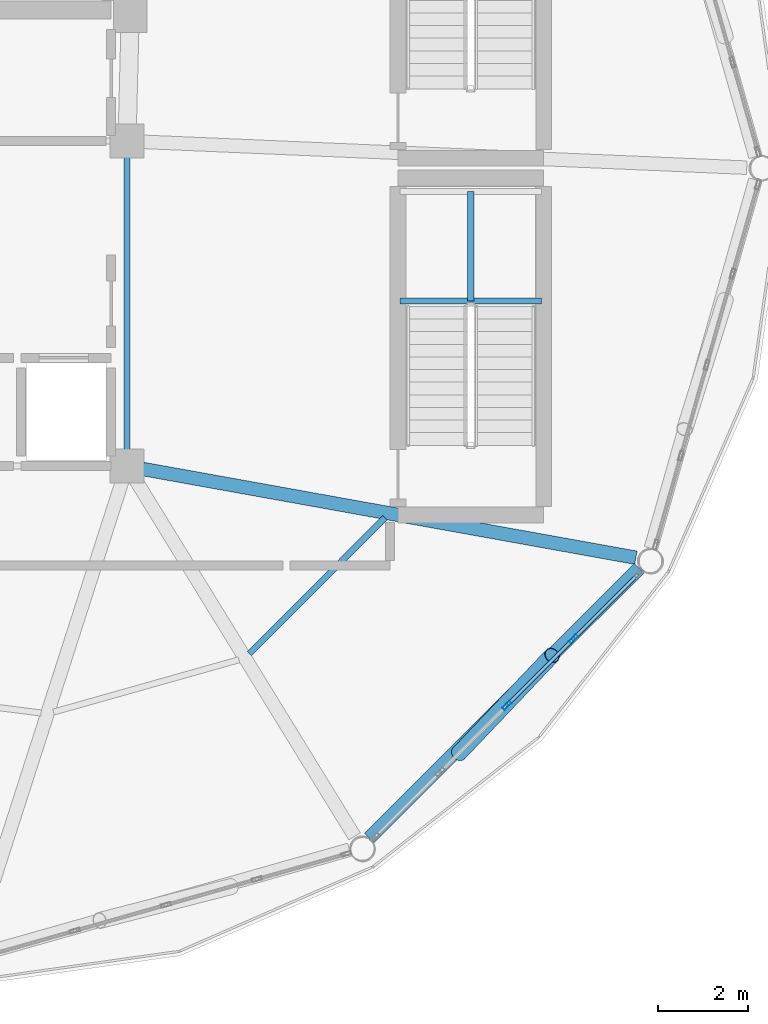
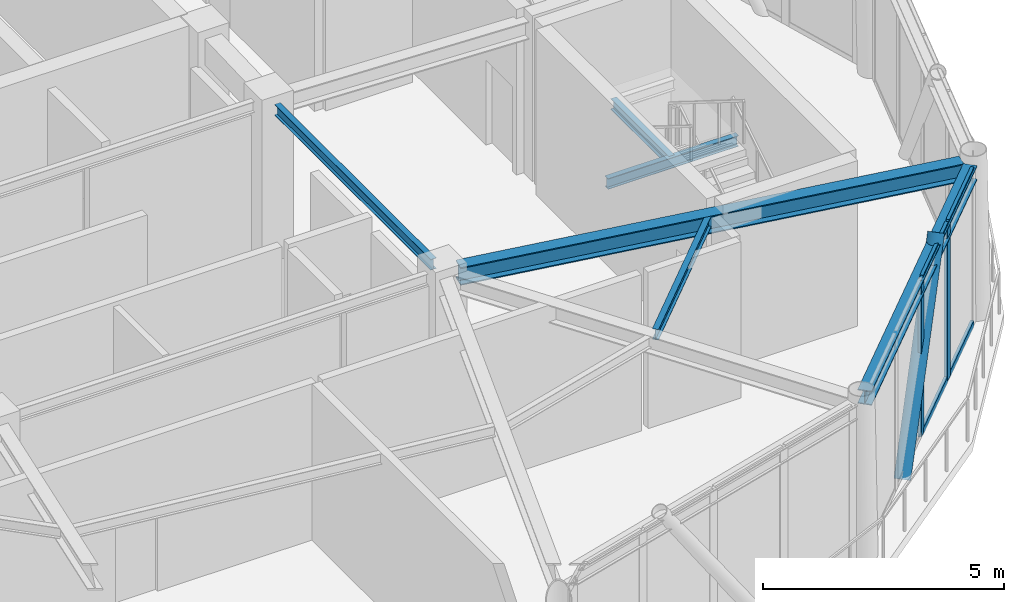
# One storey, part 7 of 21: 7 members, 6 beams, 1 element without a shape of its own.
"""IFC4 building model written with IfcOpenShell, lengths in metres."""

import ifcopenshell
import ifcopenshell.guid

model = None  # the IFC model being written
_history = None  # IfcOwnerHistory: only IFC2X3 demands one
_inside = {}  # id of a spatial element -> (the spatial element, [elements in it])
_under = {}  # id of a project, library or spatial element -> (it, [spatial elements below it])
_declared = {}  # id of a project -> (the project, [libraries it declares])
_typed = {}  # id of a type object -> (the type object, [elements of that type])
_made_of = {}  # id of a material, layer set ... -> (it, [elements and type objects made of it])


def new_model(schema):
    """Start an empty IFC model of exactly this schema.

    Asked for "IFC4X3", IfcOpenShell would pick the latest addendum, in which some entities
    have other attributes; the version numbers below select the first issue.
    IFC2X3 requires an IfcOwnerHistory on every rooted entity: one is made here for all.
    """
    global model, _history
    if schema == "IFC4X3":
        model = ifcopenshell.file(schema_version=(4, 3, 0, 0))
    else:
        model = ifcopenshell.file(schema=schema)
    _inside.clear()
    _under.clear()
    _declared.clear()
    _typed.clear()
    _made_of.clear()
    _history = None
    if model.schema == "IFC2X3":
        org = make("IfcOrganization", Name="unknown")
        user = make(
            "IfcPersonAndOrganization",
            ThePerson=make("IfcPerson", FamilyName="unknown"),
            TheOrganization=org,
        )
        app = make(
            "IfcApplication",
            ApplicationDeveloper=org,
            Version="unknown",
            ApplicationFullName="unknown",
            ApplicationIdentifier="unknown",
        )
        _history = make(
            "IfcOwnerHistory",
            OwningUser=user,
            OwningApplication=app,
            ChangeAction="ADDED",
            CreationDate=0,
        )
    return model


def make(cls, **values):
    """One entity of the class cls with the attributes given. An attribute that is None is left unset."""
    return model.create_entity(
        cls, **{name: value for name, value in values.items() if value is not None}
    )


def rooted(cls, **values):
    """An entity with a GlobalId (a new one), such as an element, a storey or a relation."""
    return make(cls, GlobalId=ifcopenshell.guid.new(), OwnerHistory=_history, **values)


def si_unit(unit_type, name, prefix=None):
    """IfcSIUnit, for example si_unit("LENGTHUNIT", "METRE", prefix="MILLI")."""
    return make("IfcSIUnit", UnitType=unit_type, Prefix=prefix, Name=name)


def assignment(units):
    """IfcUnitAssignment: the units of a project."""
    return None if units is None else make("IfcUnitAssignment", Units=units)


def point(xyz):
    """IfcCartesianPoint."""
    return None if xyz is None else make("IfcCartesianPoint", Coordinates=xyz)


def direction(xyz):
    """IfcDirection."""
    return None if xyz is None else make("IfcDirection", DirectionRatios=xyz)


def frame(location, z_axis=None, x_axis=None):
    """IfcAxis2Placement3D, a coordinate frame: its origin and axes. An axis left out is left unset."""
    return make(
        "IfcAxis2Placement3D",
        Location=point(location),
        Axis=direction(z_axis),
        RefDirection=direction(x_axis),
    )


def frame_2d(location, x_axis=None):
    """IfcAxis2Placement2D, a coordinate frame in the plane: its origin and x axis."""
    return make(
        "IfcAxis2Placement2D", Location=point(location), RefDirection=direction(x_axis)
    )


def origin():
    """The frame at (0, 0, 0) with its axes left unset."""
    return frame((0.0, 0.0, 0.0))


def origin_2d():
    """The frame at (0, 0) in the plane with its x axis left unset."""
    return frame_2d((0.0, 0.0))


def place(relative_to, where):
    """IfcLocalPlacement: puts the frame where relative to a parent placement (None: the world)."""
    return make(
        "IfcLocalPlacement", PlacementRelTo=relative_to, RelativePlacement=where
    )


def context(
    kind, dimensions, precision=None, world=None, true_north=None, identifier=None
):
    """IfcGeometricRepresentationContext, for example the 3D "Model" context."""
    return make(
        "IfcGeometricRepresentationContext",
        ContextIdentifier=identifier,
        ContextType=kind,
        CoordinateSpaceDimension=dimensions,
        Precision=precision,
        WorldCoordinateSystem=world,
        TrueNorth=true_north,
    )


def subcontext(parent, identifier, kind, view, scale=None):
    """IfcGeometricRepresentationSubContext, for example "Body" below "Model"."""
    return make(
        "IfcGeometricRepresentationSubContext",
        ContextIdentifier=identifier,
        ContextType=kind,
        ParentContext=parent,
        TargetScale=scale,
        TargetView=view,
    )


def project(units=None, contexts=None):
    """IfcProject with its units and contexts."""
    return rooted(
        "IfcProject",
        Name="project",
        RepresentationContexts=contexts,
        UnitsInContext=assignment(units),
    )


def spatial(cls, under=None, at=None, **own):
    """A site, building, storey or space (cls), placed at a placement, below another one or the project."""
    s = rooted(cls, ObjectPlacement=at, **own)
    if under is not None:
        _under.setdefault(under.id(), (under, []))[1].append(s)
    return s


def profile(cls, at=None, kind="AREA", **sizes):
    """A parametric profile (cls). Its sizes go by their IFC names, for example OverallWidth=200.0."""
    return make(cls, ProfileType=kind, Position=at, **sizes)


def hollow_rectangle(**sizes):
    """IfcRectangleHollowProfileDef."""
    return profile("IfcRectangleHollowProfileDef", **sizes)


def hollow_circle(**sizes):
    """IfcCircleHollowProfileDef."""
    return profile("IfcCircleHollowProfileDef", **sizes)


def i_section(**sizes):
    """IfcIShapeProfileDef."""
    return profile("IfcIShapeProfileDef", **sizes)


def extrude(swept, where, along, depth):
    """IfcExtrudedAreaSolid: the profile swept, set in the frame where, extruded along a direction by depth."""
    return make(
        "IfcExtrudedAreaSolid",
        SweptArea=swept,
        Position=where,
        ExtrudedDirection=direction(along),
        Depth=depth,
    )


def shape(context_of_items, identifier, shape_type, items):
    """IfcShapeRepresentation: the items that make up one representation, for example the "Body"."""
    return make(
        "IfcShapeRepresentation",
        ContextOfItems=context_of_items,
        RepresentationIdentifier=identifier,
        RepresentationType=shape_type,
        Items=items,
    )


def material(Name=None, Category=None):
    """IfcMaterial."""
    return make("IfcMaterial", Name=Name, Category=Category)


def layer(
    of_material, thickness, ventilated=None, Name=None, Category=None, Priority=None
):
    """IfcMaterialLayer: one layer of a wall or slab, of a material (None: an air gap)."""
    return make(
        "IfcMaterialLayer",
        Material=of_material,
        LayerThickness=thickness,
        IsVentilated=ventilated,
        Name=Name,
        Category=Category,
        Priority=Priority,
    )


def layer_set(layers, Name=None):
    """IfcMaterialLayerSet."""
    return make("IfcMaterialLayerSet", MaterialLayers=layers, LayerSetName=Name)


def material_profile(
    of_material, cross_section, Name=None, Category=None, Priority=None
):
    """IfcMaterialProfile: a cross section and its material."""
    return make(
        "IfcMaterialProfile",
        Name=Name,
        Material=of_material,
        Profile=cross_section,
        Priority=Priority,
        Category=Category,
    )


def profile_set(profiles, Name=None, composite=None):
    """IfcMaterialProfileSet."""
    return make(
        "IfcMaterialProfileSet",
        Name=Name,
        MaterialProfiles=profiles,
        CompositeProfile=composite,
    )


def made_of(thing, what):
    """Note that an element or type object is made of a material, layer set ...; save() writes the relation."""
    if what is not None:
        _made_of.setdefault(what.id(), (what, []))[1].append(thing)
    return thing


def type_object(cls, material=None, **own):
    """A type object (cls), such as IfcWallType, which elements share."""
    return made_of(rooted(cls, **own), material)


def element(
    cls,
    number,
    at=None,
    inside=None,
    cuts=None,
    type_object=None,
    material=None,
    context=None,
    identifier="Body",
    shape_type=None,
    held_by="IfcProductDefinitionShape",
    body=None,
    shapes=None,
    **own,
):
    """One element of the class cls, such as IfcWall. Its Tag is "e" and its number.

    at: its placement. inside: the storey or other place that contains it. cuts: it is an
    opening in that element (IfcRelVoidsElement). A single representation is given by context,
    identifier, shape_type and body (its items); several are given by shapes. held_by: the class
    of the entity that holds the representations. save() writes the other relations.
    """
    e = rooted(cls, Tag="e%d" % number, ObjectPlacement=at, **own)
    if body is not None:
        shapes = [shape(context, identifier, shape_type, body)]
    if shapes is not None:
        e.Representation = make(held_by, Representations=shapes)
    if inside is not None:
        _inside.setdefault(inside.id(), (inside, []))[1].append(e)
    if cuts is not None:
        rooted(
            "IfcRelVoidsElement", RelatingBuildingElement=cuts, RelatedOpeningElement=e
        )
    if type_object is not None:
        _typed.setdefault(type_object.id(), (type_object, []))[1].append(e)
    return made_of(e, material)


def aggregate(whole, parts):
    """IfcRelAggregates: a whole, such as a stair, and the parts it consists of."""
    return rooted("IfcRelAggregates", RelatingObject=whole, RelatedObjects=parts)


def save(model, path):
    """Write the relations noted so far, then the file.

    IfcRelAggregates (storeys below a building ...), IfcRelContainedInSpatialStructure (elements
    in a storey), IfcRelDefinesByType, IfcRelAssociatesMaterial and IfcRelDeclares: one each for
    every whole, place, type object, material and project.
    """
    for whole, parts in _under.values():
        aggregate(whole, parts)
    for where, things in _inside.values():
        rooted(
            "IfcRelContainedInSpatialStructure",
            RelatedElements=things,
            RelatingStructure=where,
        )
    for kind, things in _typed.values():
        rooted("IfcRelDefinesByType", RelatedObjects=things, RelatingType=kind)
    for what, things in _made_of.values():
        rooted("IfcRelAssociatesMaterial", RelatedObjects=things, RelatingMaterial=what)
    for by, libraries in _declared.values():
        rooted("IfcRelDeclares", RelatingContext=by, RelatedDefinitions=libraries)
    model.write(path)


model = new_model("IFC4")

# Units and contexts
model_context = context("Model", 3, precision=1e-05, world=origin(), true_north=direction((0.0, 1.0)))
body_context = subcontext(model_context, "Body", "Model", "MODEL_VIEW")
ifc_project = project(units=[si_unit("LENGTHUNIT", "METRE"), si_unit("AREAUNIT", "SQUARE_METRE"), si_unit("VOLUMEUNIT", "CUBIC_METRE"), si_unit("PLANEANGLEUNIT", "RADIAN"), si_unit("MASSUNIT", "GRAM", prefix="KILO")], contexts=[model_context])

# Site, building, storey
site_placement = place(None, origin())
site = spatial("IfcSite", under=ifc_project, at=site_placement, CompositionType="ELEMENT")
building_placement = place(site_placement, origin())
building = spatial("IfcBuilding", under=site, at=building_placement, Name="Varnakorn Sky Granary", CompositionType="ELEMENT")
storey_placement = place(building_placement, frame((0.0, 0.0, 298.199951171875)))
storey = spatial("IfcBuildingStorey", under=building, at=storey_placement, Name="L76", CompositionType="ELEMENT", Elevation=298.199951171875)

# Beams
ifc_material_1 = material(Name="Steel S355JR", Category="steel")
ifc_material_profile_1 = material_profile(ifc_material_1, i_section(OverallWidth=0.135009765625, OverallDepth=0.27001953125, WebThickness=0.006591796875, FlangeThickness=0.01025390625, at=origin_2d()), Name="IPE 270")
ifc_profile_set_1 = profile_set([ifc_material_profile_1], Name="Steel S355JR")
beam_type_1 = type_object("IfcBeamType", Name="BM-LND-270", PredefinedType="BEAM", material=ifc_profile_set_1)
beam_1_placement = place(storey_placement, frame((14.39990234375, -2.93994140625, 1.76513671875), z_axis=(1.0, 0.0, 0.0), x_axis=(0.0, 1.0, 0.0)))
element("IfcBeam", 1, at=beam_1_placement, inside=storey, type_object=beam_type_1, Name="Stair ST-C2 Landing Trimmer Beam A L76-1", PredefinedType="BEAM", context=body_context, shape_type="SweptSolid", body=[
    extrude(i_section(OverallWidth=0.135009765625, OverallDepth=0.27001953125, WebThickness=0.006591796875, FlangeThickness=0.01025390625, at=origin_2d()), origin(), (0.0, 0.0, 1.0), 3.130126953125),
])
beam_2_placement = place(storey_placement, frame((15.965087890625, -2.93994140625, 1.76513671875), z_axis=(0.0, 1.0, 0.0), x_axis=(-1.0, 0.0, 0.0)))
element("IfcBeam", 2, at=beam_2_placement, inside=storey, type_object=beam_type_1, Name="Stair ST-C2 Landing Cross Beam C L76-1", PredefinedType="BEAM", context=body_context, shape_type="SweptSolid", body=[
    extrude(i_section(OverallWidth=0.135009765625, OverallDepth=0.27001953125, WebThickness=0.006591796875, FlangeThickness=0.01025390625, at=origin_2d()), origin(), (0.0, 0.0, 1.0), 2.419921875),
])
ifc_material_profile_2 = material_profile(ifc_material_1, i_section(OverallWidth=0.300048828125, OverallDepth=0.449951171875, WebThickness=0.013916015625, FlangeThickness=0.02587890625, at=origin_2d()), Name="HE 450 B")
ifc_profile_set_2 = profile_set([ifc_material_profile_2], Name="Steel S355JR")
beam_type_2 = type_object("IfcBeamType", Name="BM-RAD-Z5", PredefinedType="BEAM", material=ifc_profile_set_2)
beam_3_placement = place(storey_placement, frame((8.699462890625, -6.662841796875, 3.735107421875), z_axis=(0.984187926078, -0.177127429164, 0.0), x_axis=(0.177127429164, 0.984187926078, 0.0)))
element("IfcBeam", 3, at=beam_3_placement, inside=storey, type_object=beam_type_2, Name="Radial Floor Girder RG12 L76", PredefinedType="BEAM", context=body_context, shape_type="SweptSolid", body=[
    extrude(i_section(OverallWidth=0.300048828125, OverallDepth=0.449951171875, WebThickness=0.013916015625, FlangeThickness=0.02587890625, at=origin_2d()), origin(), (0.0, 0.0, 1.0), 11.098388671875),
])
ifc_material_profile_3 = material_profile(ifc_material_1, i_section(OverallWidth=0.135009765625, OverallDepth=0.27001953125, WebThickness=0.006591796875, FlangeThickness=0.01025390625, at=origin_2d()), Name="IPE 270")
ifc_profile_set_3 = profile_set([ifc_material_profile_3], Name="Steel S355JR")
beam_type_3 = type_object("IfcBeamType", Name="BM-SEC-Z5", PredefinedType="BEAM", material=ifc_profile_set_3)
beam_4_placement = place(storey_placement, frame((11.06201171875, -10.752685546875, 3.824951171875), z_axis=(0.706186669431, 0.708025697216, 0.0), x_axis=(-0.708025697216, 0.706186669431, 0.0)))
element("IfcBeam", 4, at=beam_4_placement, inside=storey, type_object=beam_type_3, Name="Secondary Floor Chord Beam MSB11 L76", PredefinedType="BEAM", context=body_context, shape_type="SweptSolid", body=[
    extrude(i_section(OverallWidth=0.135009765625, OverallDepth=0.27001953125, WebThickness=0.006591796875, FlangeThickness=0.01025390625, at=origin_2d()), origin(), (0.0, 0.0, 1.0), 4.248046875),
])
beam_5_placement = place(storey_placement, frame((8.35009765625, 0.2451171875, 3.824951171875), z_axis=(0.0, -1.0, 0.0), x_axis=(1.0, 0.0, 0.0)))
element("IfcBeam", 5, at=beam_5_placement, inside=storey, type_object=beam_type_3, Name="Core Spine Framing Beam 4 L76", PredefinedType="BEAM", context=body_context, shape_type="SweptSolid", body=[
    extrude(i_section(OverallWidth=0.135009765625, OverallDepth=0.27001953125, WebThickness=0.006591796875, FlangeThickness=0.01025390625, at=origin_2d()), origin(), (0.0, 0.0, 1.0), 6.490234375),
])
ifc_material_profile_4 = material_profile(ifc_material_1, i_section(OverallWidth=0.300048828125, OverallDepth=0.360107421875, WebThickness=0.012451171875, FlangeThickness=0.0224609375, at=origin_2d()), Name="HE 360 B")
ifc_profile_set_4 = profile_set([ifc_material_profile_4], Name="Steel S355JR")
beam_type_4 = type_object("IfcBeamType", Name="BM-SPD-Z5", PredefinedType="SPANDREL", material=ifc_profile_set_4)
beam_6_placement = place(storey_placement, frame((13.716064453125, -14.83935546875, 3.780029296875), z_axis=(0.707251156456, 0.706962376433, 0.0), x_axis=(-0.706962376433, 0.707251156456, 0.0)))
element("IfcBeam", 6, at=beam_6_placement, inside=storey, type_object=beam_type_4, Name="Perimeter Spandrel Ring Beam RB11 L76", PredefinedType="SPANDREL", context=body_context, shape_type="SweptSolid", body=[
    extrude(i_section(OverallWidth=0.300048828125, OverallDepth=0.360107421875, WebThickness=0.012451171875, FlangeThickness=0.0224609375, at=origin_2d()), origin(), (0.0, 0.0, 1.0), 8.4541015625),
])

# Curtain wall, members
ifc_material_2 = material(Name="Anodised Bronze Aluminium Alloy 6063-T6", Category="aluminium")
ifc_layer = layer(ifc_material_2, 0.22998046875, Name="Anodised Bronze Aluminium Alloy 6063-T6")
ifc_layer_set = layer_set([ifc_layer], Name="Anodised Bronze Aluminium Alloy 6063-T6")
curtain_wall_type = type_object("IfcCurtainWallType", Name="CW-LNT-1", PredefinedType="USERDEFINED", material=ifc_layer_set)
curtain_wall_placement = place(storey_placement, origin())
curtain_wall = element("IfcCurtainWall", 7, at=curtain_wall_placement, inside=storey, type_object=curtain_wall_type, Name="Unitised Curtain Wall CW7 CW-L76-B11", ObjectType="CURTAIN WALL", PredefinedType="USERDEFINED")
ifc_material_profile_5 = material_profile(ifc_material_2, hollow_rectangle(XDim=0.074951171875, YDim=0.219970703125, WallThickness=0.00390625, at=origin_2d()), Name="ALU MULL 75x220")
ifc_profile_set_5 = profile_set([ifc_material_profile_5], Name="Anodised Bronze Aluminium Alloy 6063-T6")
member_type_1 = type_object("IfcMemberType", Name="CW-LNT-1-MULL", PredefinedType="MULLION", material=ifc_profile_set_5)
member_1_placement = place(storey_placement, frame((18.240478515625, -10.42529296875, 0.0), z_axis=(0.0, 0.0, 1.0), x_axis=(0.706663262546, -0.707550021813, 0.0)))
member_1 = element("IfcMember", 8, at=member_1_placement, type_object=member_type_1, Name="CW7 mullion 2", PredefinedType="MULLION", context=body_context, shape_type="SweptSolid", body=[
    extrude(hollow_rectangle(XDim=0.074951171875, YDim=0.219970703125, WallThickness=0.00390625, at=origin_2d()), origin(), (0.0, 0.0, 1.0), 3.9599609375),
])
member_2_placement = place(storey_placement, frame((16.764404296875, -11.8994140625, 0.0), z_axis=(0.0, 0.0, 1.0), x_axis=(0.706663262546, -0.707550021813, 0.0)))
member_2 = element("IfcMember", 9, at=member_2_placement, type_object=member_type_1, Name="CW7 mullion 3", PredefinedType="MULLION", context=body_context, shape_type="SweptSolid", body=[
    extrude(hollow_rectangle(XDim=0.074951171875, YDim=0.219970703125, WallThickness=0.00390625, at=origin_2d()), origin(), (0.0, 0.0, 1.0), 3.9599609375),
])
ifc_material_profile_6 = material_profile(ifc_material_2, hollow_rectangle(XDim=0.074951171875, YDim=0.159912109375, WallThickness=0.00390625, at=origin_2d()), Name="ALU TRAN 75x160")
ifc_profile_set_6 = profile_set([ifc_material_profile_6], Name="Anodised Bronze Aluminium Alloy 6063-T6")
member_type_2 = type_object("IfcMemberType", Name="CW-LNT-1-TRAN", PredefinedType="USERDEFINED", material=ifc_profile_set_6)
member_3_placement = place(storey_placement, frame((19.66357421875, -9.00390625, 0.03759765625), z_axis=(-0.707539583712, -0.706673713592, 0.0), x_axis=(0.706673713592, -0.707539583712, 0.0)))
member_3 = element("IfcMember", 10, at=member_3_placement, type_object=member_type_2, Name="CW7 transom 1.1", ObjectType="TRANSOM", PredefinedType="USERDEFINED", context=body_context, shape_type="SweptSolid", body=[
    extrude(hollow_rectangle(XDim=0.074951171875, YDim=0.159912109375, WallThickness=0.00390625, at=origin_2d()), origin(), (0.0, 0.0, 1.0), 1.9736328125),
])
member_4_placement = place(storey_placement, frame((19.66357421875, -9.00390625, 3.922607421875), z_axis=(-0.707539583712, -0.706673713592, 0.0), x_axis=(0.706673713592, -0.707539583712, 0.0)))
member_4 = element("IfcMember", 11, at=member_4_placement, type_object=member_type_2, Name="CW7 transom 1.2", ObjectType="TRANSOM", PredefinedType="USERDEFINED", context=body_context, shape_type="SweptSolid", body=[
    extrude(hollow_rectangle(XDim=0.074951171875, YDim=0.159912109375, WallThickness=0.00390625, at=origin_2d()), origin(), (0.0, 0.0, 1.0), 1.9736328125),
])
member_5_placement = place(storey_placement, frame((18.214111328125, -10.45166015625, 0.03759765625), z_axis=(-0.707531488049, -0.706681819081, 0.0), x_axis=(0.706681819081, -0.707531488049, 0.0)))
member_5 = element("IfcMember", 12, at=member_5_placement, type_object=member_type_2, Name="CW7 transom 2.1", ObjectType="TRANSOM", PredefinedType="USERDEFINED", context=body_context, shape_type="SweptSolid", body=[
    extrude(hollow_rectangle(XDim=0.074951171875, YDim=0.159912109375, WallThickness=0.00390625, at=origin_2d()), origin(), (0.0, 0.0, 1.0), 2.011474609375),
])
member_6_placement = place(storey_placement, frame((18.214111328125, -10.45166015625, 3.922607421875), z_axis=(-0.707531488049, -0.706681819081, 0.0), x_axis=(0.706681819081, -0.707531488049, 0.0)))
member_6 = element("IfcMember", 13, at=member_6_placement, type_object=member_type_2, Name="CW7 transom 2.2", ObjectType="TRANSOM", PredefinedType="USERDEFINED", context=body_context, shape_type="SweptSolid", body=[
    extrude(hollow_rectangle(XDim=0.074951171875, YDim=0.159912109375, WallThickness=0.00390625, at=origin_2d()), origin(), (0.0, 0.0, 1.0), 2.011474609375),
])
aggregate(curtain_wall, [member_1, member_2, member_3, member_4, member_5, member_6])

# Member
ifc_material_3 = material(Name="Steel S460M", Category="steel")
ifc_material_profile_7 = material_profile(ifc_material_3, hollow_circle(Radius=0.177734375, WallThickness=0.01416015625, at=origin_2d()), Name="CHS 355.6x14")
ifc_profile_set_7 = profile_set([ifc_material_profile_7], Name="Steel S460M")
member_type_3 = type_object("IfcMemberType", Name="MB-DIAG-T5", PredefinedType="BRACE", material=ifc_profile_set_7)
member_7_placement = place(storey_placement, frame((15.7001953125, -12.96240234375, -0.1298828125), z_axis=(0.398942624528, 0.419323799291, 0.815482883746), x_axis=(-0.724494517572, 0.689280562622, 0.0)))
element("IfcMember", 14, at=member_7_placement, inside=storey, type_object=member_type_3, Name="Perimeter CHS Diagrid Brace DG11 L76", PredefinedType="BRACE", context=body_context, shape_type="SweptSolid", body=[
    extrude(hollow_circle(Radius=0.177734375, WallThickness=0.01416015625, at=origin_2d()), origin(), (0.0, 0.0, 1.0), 5.1748046875),
])

save(model, "model.ifc")
